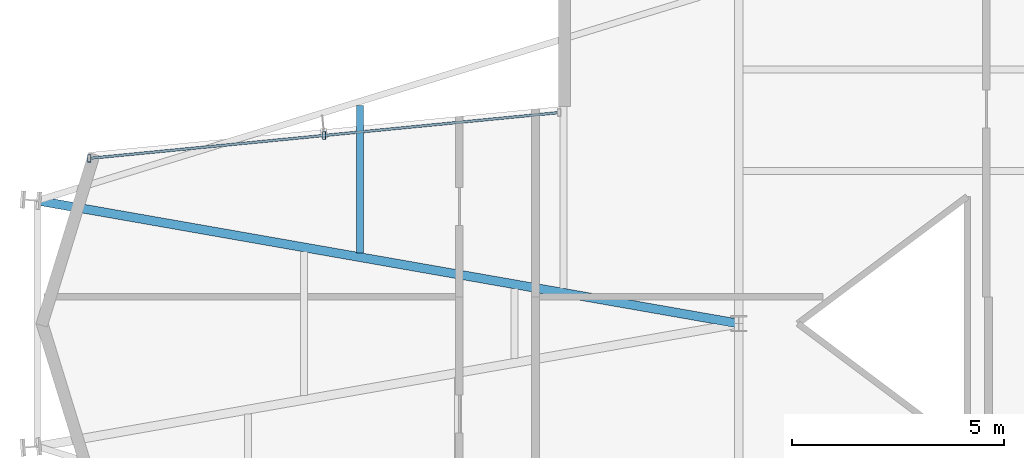
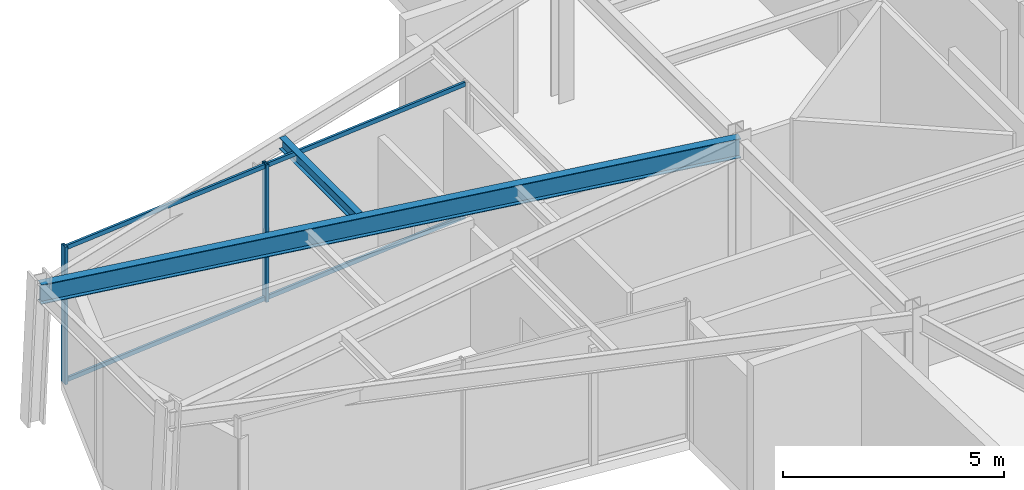
# One storey, part 8 of 20: 4 members, 2 beams, 1 element without a shape of its own.
"""IFC4 building model written with IfcOpenShell, lengths in metres."""

from ifc_helpers import new_model, si_unit, direction, frame, origin, origin_2d, place, context, subcontext, project, spatial, hollow_rectangle, i_section, extrude, material, layer, layer_set, material_profile, profile_set, type_object, element, aggregate, save


model = new_model("IFC4")

# Units and contexts
model_context = context("Model", 3, precision=1e-05, world=origin(), true_north=direction((0.0, 1.0)))
body_context = subcontext(model_context, "Body", "Model", "MODEL_VIEW")
ifc_project = project(units=[si_unit("LENGTHUNIT", "METRE"), si_unit("AREAUNIT", "SQUARE_METRE"), si_unit("VOLUMEUNIT", "CUBIC_METRE"), si_unit("PLANEANGLEUNIT", "RADIAN"), si_unit("MASSUNIT", "GRAM", prefix="KILO")], contexts=[model_context])

# Site, building, storey
site_placement = place(None, origin())
site = spatial("IfcSite", under=ifc_project, at=site_placement, CompositionType="ELEMENT")
building_placement = place(site_placement, origin())
building = spatial("IfcBuilding", under=site, at=building_placement, Name="Veymaron Broadcast Tower", CompositionType="ELEMENT")
storey_placement = place(building_placement, frame((0.0, 0.0, 248.550048828125)))
storey = spatial("IfcBuildingStorey", under=building, at=storey_placement, Name="L58", CompositionType="ELEMENT", Elevation=248.550048828125)

# Beams
ifc_material_1 = material(Name="Structural steel ASTM A992 Gr 50", Category="steel")
ifc_material_profile_1 = material_profile(ifc_material_1, i_section(OverallWidth=0.2099609375, OverallDepth=0.537109375, WebThickness=0.010986328125, FlangeThickness=0.017333984375, at=origin_2d()), Name="W530X101")
ifc_profile_set_1 = profile_set([ifc_material_profile_1], Name="Structural steel ASTM A992 Gr 50")
beam_type_1 = type_object("IfcBeamType", Name="BM-FG3", PredefinedType="BEAM", material=ifc_profile_set_1)
beam_1_placement = place(storey_placement, frame((14.631103515625, 26.905029296875, 3.521484375), z_axis=(0.984975090748, -0.172696469584, 0.0), x_axis=(0.172696469584, 0.984975090748, 0.0)))
element("IfcBeam", 1, at=beam_1_placement, inside=storey, type_object=beam_type_1, Name="L58 primary structural floor girder", PredefinedType="BEAM", context=body_context, shape_type="SweptSolid", body=[
    extrude(i_section(OverallWidth=0.2099609375, OverallDepth=0.537109375, WebThickness=0.010986328125, FlangeThickness=0.017333984375, at=origin_2d()), origin(), (0.0, 0.0, 1.0), 16.821533203125),
])
ifc_material_profile_2 = material_profile(ifc_material_1, i_section(OverallWidth=0.1650390625, OverallDepth=0.31005859375, WebThickness=0.005859375, FlangeThickness=0.009765625, at=origin_2d()), Name="W310X39")
ifc_profile_set_2 = profile_set([ifc_material_profile_2], Name="Structural steel ASTM A992 Gr 50")
beam_type_2 = type_object("IfcBeamType", Name="BM-JS3", PredefinedType="JOIST", material=ifc_profile_set_2)
beam_2_placement = place(storey_placement, frame((22.252685546875, 25.668701171875, 3.635009765625), z_axis=(0.0, 1.0, 0.0), x_axis=(-1.0, 0.0, 0.0)))
element("IfcBeam", 2, at=beam_2_placement, inside=storey, type_object=beam_type_2, Name="L58 Arm-A secondary joist 1N", PredefinedType="JOIST", context=body_context, shape_type="SweptSolid", body=[
    extrude(i_section(OverallWidth=0.1650390625, OverallDepth=0.31005859375, WebThickness=0.005859375, FlangeThickness=0.009765625, at=origin_2d()), origin(), (0.0, 0.0, 1.0), 3.47998046875),
])

# Curtain wall, members
ifc_material_2 = material(Name="Anodised aluminium AA 6063-T6 and laminated low-E dark glass", Category="aluminium")
ifc_layer = layer(ifc_material_2, 0.179931640625)
ifc_layer_set = layer_set([ifc_layer], Name="Anodised aluminium AA 6063-T6 and laminated low-E dark glass")
curtain_wall_type = type_object("IfcCurtainWallType", Name="CW-SYS-05", PredefinedType="NOTDEFINED", material=ifc_layer_set)
curtain_wall_placement = place(storey_placement, origin())
curtain_wall = element("IfcCurtainWall", 3, at=curtain_wall_placement, inside=storey, type_object=curtain_wall_type, Name="L58 dark-glass curtain wall CW-L58-E11-1", PredefinedType="NOTDEFINED")
ifc_material_3 = material(Name="Anodised aluminium AA 6063-T6", Category="aluminium")
ifc_material_profile_3 = material_profile(ifc_material_3, hollow_rectangle(XDim=0.074951171875, YDim=0.179931640625, WallThickness=0.0048828125, at=origin_2d()), Name="AL180X75X5")
ifc_profile_set_3 = profile_set([ifc_material_profile_3], Name="Anodised aluminium AA 6063-T6")
member_type_1 = type_object("IfcMemberType", Name="CW-MUL-02", PredefinedType="MULLION", material=ifc_profile_set_3)
member_1_placement = place(storey_placement, frame((21.40478515625, 28.443603515625, 0.0), z_axis=(0.0, 0.0, 1.0), x_axis=(1.0, 0.0, 0.0)))
member_1 = element("IfcMember", 4, at=member_1_placement, type_object=member_type_1, Name="CW-L58-E11-1 mullion 1", PredefinedType="MULLION", context=body_context, shape_type="SweptSolid", body=[
    extrude(hollow_rectangle(XDim=0.074951171875, YDim=0.179931640625, WallThickness=0.0048828125, at=origin_2d()), origin(), (0.0, 0.0, 1.0), 3.7900390625),
])
member_2_placement = place(storey_placement, frame((15.853515625, 27.902587890625, 0.0), z_axis=(0.0, 0.0, 1.0), x_axis=(1.0, 0.0, 0.0)))
member_2 = element("IfcMember", 5, at=member_2_placement, type_object=member_type_1, Name="CW-L58-E11-1 mullion 2", PredefinedType="MULLION", context=body_context, shape_type="SweptSolid", body=[
    extrude(hollow_rectangle(XDim=0.074951171875, YDim=0.179931640625, WallThickness=0.0048828125, at=origin_2d()), origin(), (0.0, 0.0, 1.0), 3.7900390625),
])
ifc_material_profile_4 = material_profile(ifc_material_3, hollow_rectangle(XDim=0.06005859375, YDim=0.1201171875, WallThickness=0.00390625, at=origin_2d()), Name="AL120X60X4")
ifc_profile_set_4 = profile_set([ifc_material_profile_4], Name="Anodised aluminium AA 6063-T6")
member_type_2 = type_object("IfcMemberType", Name="CW-TRN-02", PredefinedType="USERDEFINED", material=ifc_profile_set_4)
member_3_placement = place(storey_placement, frame((26.90625, 28.9794921875, 0.070068359375), z_axis=(-0.995287170753, -0.096971375849, 0.0), x_axis=(0.096971375849, -0.995287170753, 0.0)))
member_3 = element("IfcMember", 6, at=member_3_placement, type_object=member_type_2, Name="CW-L58-E11-1 transom B", ObjectType="TRANSOM", PredefinedType="USERDEFINED", context=body_context, shape_type="SweptSolid", body=[
    extrude(hollow_rectangle(XDim=0.06005859375, YDim=0.1201171875, WallThickness=0.00390625, at=origin_2d()), origin(), (0.0, 0.0, 1.0), 11.054931640625),
])
member_4_placement = place(storey_placement, frame((26.90625, 28.9794921875, 3.719970703125), z_axis=(-0.995287170753, -0.096971375849, 0.0), x_axis=(0.096971375849, -0.995287170753, 0.0)))
member_4 = element("IfcMember", 7, at=member_4_placement, type_object=member_type_2, Name="CW-L58-E11-1 transom T", ObjectType="TRANSOM", PredefinedType="USERDEFINED", context=body_context, shape_type="SweptSolid", body=[
    extrude(hollow_rectangle(XDim=0.06005859375, YDim=0.1201171875, WallThickness=0.00390625, at=origin_2d()), origin(), (0.0, 0.0, 1.0), 11.054931640625),
])
aggregate(curtain_wall, [member_1, member_2, member_3, member_4])

save(model, "model.ifc")
